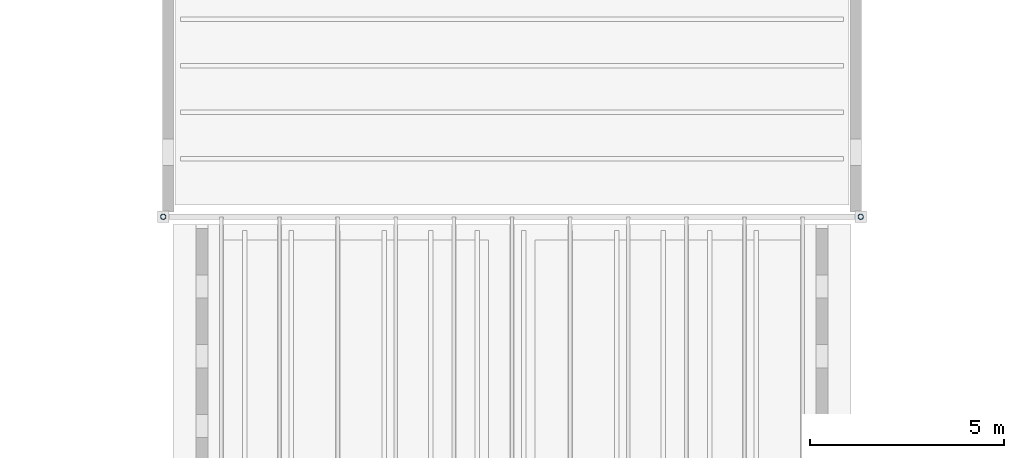
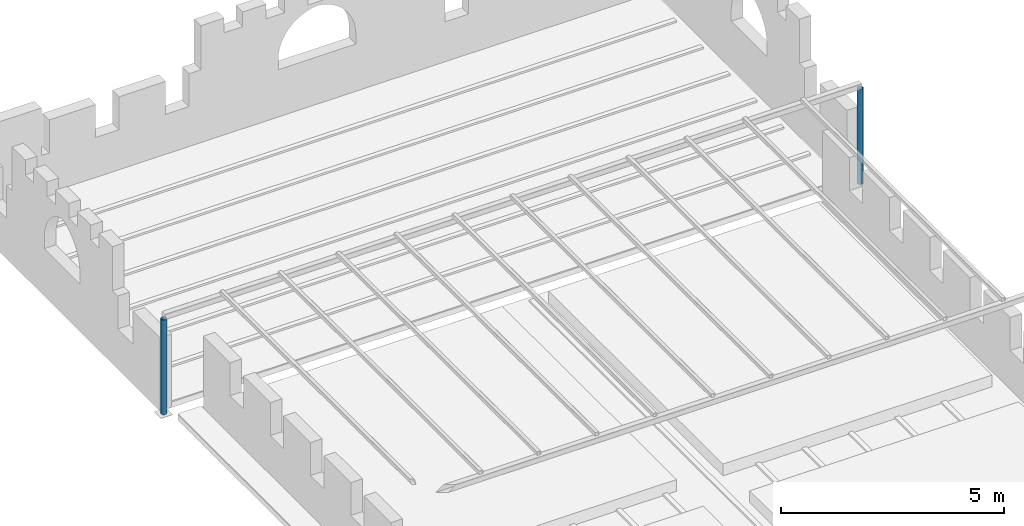
# One storey, part 6 of 37: 2 columns.
"""IFC4 building model written with IfcOpenShell, lengths in metres."""

from ifc_helpers import new_model, si_unit, direction, frame, origin, origin_2d, place, context, subcontext, project, spatial, hollow_circle, extrude, material, material_profile, profile_set, type_object, element, save


model = new_model("IFC4")

# Units and contexts
model_context = context("Model", 3, precision=1e-05, world=origin(), true_north=direction((0.0, 1.0)))
body_context = subcontext(model_context, "Body", "Model", "MODEL_VIEW")
ifc_project = project(units=[si_unit("LENGTHUNIT", "METRE"), si_unit("AREAUNIT", "SQUARE_METRE"), si_unit("VOLUMEUNIT", "CUBIC_METRE"), si_unit("PLANEANGLEUNIT", "RADIAN"), si_unit("MASSUNIT", "GRAM", prefix="KILO")], contexts=[model_context])

# Site, building, storey
site_placement = place(None, origin())
site = spatial("IfcSite", under=ifc_project, at=site_placement, CompositionType="ELEMENT")
building_placement = place(site_placement, origin())
building = spatial("IfcBuilding", under=site, at=building_placement, Name="Baradari Gate Terminus", CompositionType="ELEMENT")
storey_placement = place(building_placement, frame((0.0, 0.0, 24.300048828125)))
storey = spatial("IfcBuildingStorey", under=building, at=storey_placement, Name="L05", CompositionType="ELEMENT", Elevation=24.300048828125)

# Columns
ifc_material = material(Name="Steel S355", Category="steel")
ifc_material_profile = material_profile(ifc_material, hollow_circle(Radius=0.06982421875, WallThickness=0.008056640625, at=origin_2d()), Name="CHS 139.7x8")
ifc_profile_set = profile_set([ifc_material_profile], Name="Steel S355")
column_type = type_object("IfcColumnType", Name="Pergola post CHS 139.7x8", PredefinedType="COLUMN", material=ifc_profile_set)
for number, where, z_axis, x_axis, name in (
    (1, (90.0, 81.0, 0.0), (0.0, 0.0, 1.0), (1.0, 0.0, 0.0), "RF/L05/PGG3-PGC3"),
    (2, (72.0, 81.0, 0.0), (0.0, 0.0, 1.0), (1.0, 0.0, 0.0), "RF/L05/PGG3-PGC4"),
):
    element("IfcColumn", number, at=place(storey_placement, frame(where, z_axis=z_axis, x_axis=x_axis)), inside=storey, type_object=column_type, Name=name, PredefinedType="COLUMN", context=body_context, shape_type="SweptSolid", body=[
        extrude(hollow_circle(Radius=0.06982421875, WallThickness=0.008056640625, at=origin_2d()), origin(), (0.0, 0.0, 1.0), 2.599853515625),
    ])

save(model, "model.ifc")
